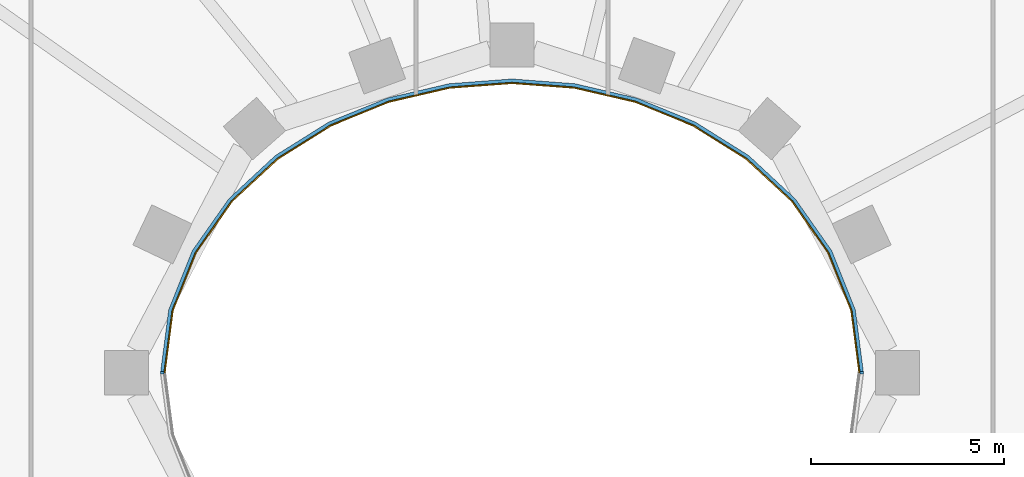
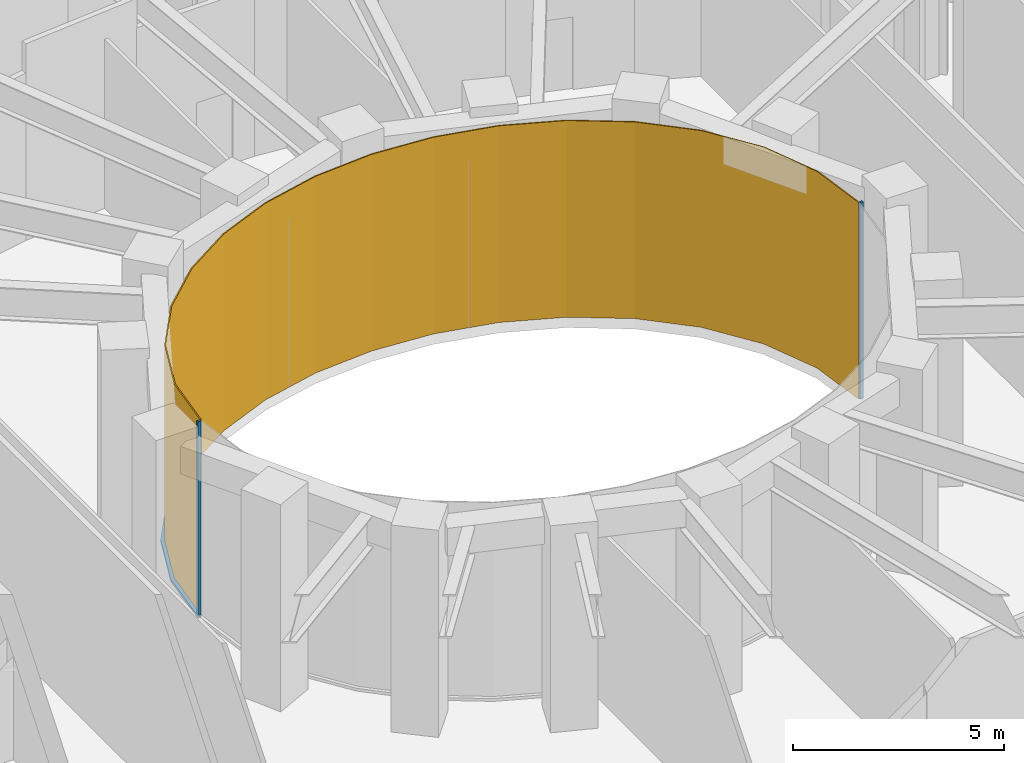
# One storey, part 14 of 23: 3 members, 1 curtain wall.
"""IFC4 building model written with IfcOpenShell, lengths in metres."""

from ifc_helpers import new_model, si_unit, direction, frame, origin, origin_2d, place, context, subcontext, project, spatial, polyline, rectangle, outline, extrude, material, layer, layer_set, material_profile, profile_set, type_object, element, aggregate, save


model = new_model("IFC4")

# Units and contexts
model_context = context("Model", 3, precision=1e-05, world=origin(), true_north=direction((0.0, 1.0)))
body_context = subcontext(model_context, "Body", "Model", "MODEL_VIEW")
ifc_project = project(units=[si_unit("LENGTHUNIT", "METRE"), si_unit("AREAUNIT", "SQUARE_METRE"), si_unit("VOLUMEUNIT", "CUBIC_METRE"), si_unit("PLANEANGLEUNIT", "RADIAN"), si_unit("MASSUNIT", "GRAM", prefix="KILO")], contexts=[model_context])

# Member
ifc_material_1 = material(Name="Steel S355 fire-resisting frame", Category="steel")
ifc_material_profile = material_profile(ifc_material_1, rectangle(XDim=0.090087890625, YDim=0.06005859375, at=origin_2d()), Name="90x60")
ifc_profile_set = profile_set([ifc_material_profile], Name="Steel S355 fire-resisting frame")
member_type_1 = type_object("IfcMemberType", Name="ENV-MULLION-W-90", PredefinedType="MULLION", material=ifc_profile_set)
site_placement = place(None, origin())
building_placement = place(site_placement, origin())
storey_placement = place(building_placement, frame((0.0, 0.0, 140.0)))
member_1_placement = place(storey_placement, frame((9.076904296875, 0.0, 0.0), z_axis=(0.0, 0.0, 1.0), x_axis=(1.0, 0.0, 0.0)))
member_1 = element("IfcMember", 1, at=member_1_placement, type_object=member_type_1, Name="Mullion W well vertex 01", PredefinedType="MULLION", context=body_context, shape_type="SweptSolid", body=[
    extrude(rectangle(XDim=0.090087890625, YDim=0.06005859375, at=origin_2d()), origin(), (0.0, 0.0, 1.0), 5.699951171875),
])

member_2_placement = place(storey_placement, frame((-9.076904296875, 0.0, 0.0), z_axis=(0.0, 0.0, 1.0), x_axis=(-1.0, 0.0, 0.0)))
member_2 = element("IfcMember", 2, at=member_2_placement, type_object=member_type_1, Name="Mullion W well vertex 17", PredefinedType="MULLION", context=body_context, shape_type="SweptSolid", body=[
    extrude(rectangle(XDim=0.090087890625, YDim=0.06005859375, at=origin_2d()), origin(), (0.0, 0.0, 1.0), 5.699951171875),
])

ifc_material_2 = material(Name="Steel S355 fire-resisting frame", Category="steel")
member_type_2 = type_object("IfcMemberType", Name="ENV-TRANSOM-W", PredefinedType="USERDEFINED", material=ifc_material_2)
member_3_placement = place(storey_placement, origin())
member_3 = element("IfcMember", 3, at=member_3_placement, type_object=member_type_2, Name="Transom W well 01-17", ObjectType="TRANSOM", PredefinedType="USERDEFINED", context=body_context, shape_type="SweptSolid", body=[
    extrude(outline(polyline([(9.119384765625, 0.02783203125), (8.910400390625, 1.63623046875), (8.29833984375, 3.167236328125), (7.35107421875, 4.5146484375), (6.1455078125, 5.6337890625), (4.75341796875, 6.50634765625), (3.233642578125, 7.127685546875), (1.635498046875, 7.498779296875), (0.0, 7.622314453125), (-1.635498046875, 7.498779296875), (-3.233642578125, 7.127685546875), (-4.75341796875, 6.50634765625), (-6.1455078125, 5.6337890625), (-7.35107421875, 4.5146484375), (-8.29833984375, 3.167236328125), (-8.910400390625, 1.63623046875), (-9.119384765625, 0.02783203125), (-9.02880859375, 0.02783203125), (-8.822509765625, 1.61328125), (-8.21875, 3.124267578125), (-7.282958984375, 4.455078125), (-6.090576171875, 5.56201171875), (-4.712158203125, 6.426025390625), (-3.206298828125, 7.04150390625), (-1.621826171875, 7.40966796875), (0.0, 7.531982421875), (1.621826171875, 7.40966796875), (3.206298828125, 7.04150390625), (4.712158203125, 6.426025390625), (6.090576171875, 5.56201171875), (7.282958984375, 4.455078125), (8.21875, 3.124267578125), (8.822509765625, 1.61328125), (9.02880859375, 0.02783203125), (9.119384765625, 0.02783203125)])), origin(), (0.0, 0.0, 1.0), 0.080078125),
])

# Site, building, storey
site = spatial("IfcSite", under=ifc_project, at=site_placement, CompositionType="ELEMENT")
building = spatial("IfcBuilding", under=site, at=building_placement, Name="Noorbagh Ring Tower", CompositionType="ELEMENT")
storey = spatial("IfcBuildingStorey", under=building, at=storey_placement, Name="L32", CompositionType="ELEMENT", Elevation=140.0)

# Curtain wall
ifc_material_3 = material(Name="Glass fire-resisting E60 laminated", Category="glass")
ifc_layer = layer(ifc_material_3, 0.031982421875)
ifc_layer_set = layer_set([ifc_layer], Name="Glass fire-resisting E60 laminated")
curtain_wall_type = type_object("IfcCurtainWallType", Name="ENV-CW-W", PredefinedType="NOTDEFINED", material=ifc_layer_set)
curtain_wall_placement = place(storey_placement, origin())
curtain_wall = element("IfcCurtainWall", 4, at=curtain_wall_placement, inside=storey, type_object=curtain_wall_type, Name="Curtain wall W W01", PredefinedType="NOTDEFINED", context=body_context, shape_type="SweptSolid", body=[
    extrude(outline(polyline([(9.0322265625, 0.0), (8.822509765625, 1.61328125), (8.21875, 3.124267578125), (7.282958984375, 4.455078125), (6.090576171875, 5.56201171875), (4.712158203125, 6.426025390625), (3.206298828125, 7.04150390625), (1.621826171875, 7.40966796875), (0.0, 7.531982421875), (-1.621826171875, 7.40966796875), (-3.206298828125, 7.04150390625), (-4.712158203125, 6.426025390625), (-6.090576171875, 5.56201171875), (-7.282958984375, 4.455078125), (-8.21875, 3.124267578125), (-8.822509765625, 1.61328125), (-9.0322265625, 0.0), (-9.0, 0.0), (-8.79150390625, 1.605224609375), (-8.1904296875, 3.10888671875), (-7.2587890625, 4.43408203125), (-6.071044921875, 5.53662109375), (-4.697509765625, 6.3974609375), (-3.196533203125, 7.010986328125), (-1.6171875, 7.3779296875), (0.0, 7.5), (1.6171875, 7.3779296875), (3.196533203125, 7.010986328125), (4.697509765625, 6.3974609375), (6.071044921875, 5.53662109375), (7.2587890625, 4.43408203125), (8.1904296875, 3.10888671875), (8.79150390625, 1.605224609375), (9.0, 0.0), (9.0322265625, 0.0)])), origin(), (0.0, 0.0, 1.0), 5.699951171875),
])

aggregate(curtain_wall, [member_1, member_2, member_3])

save(model, "model.ifc")
